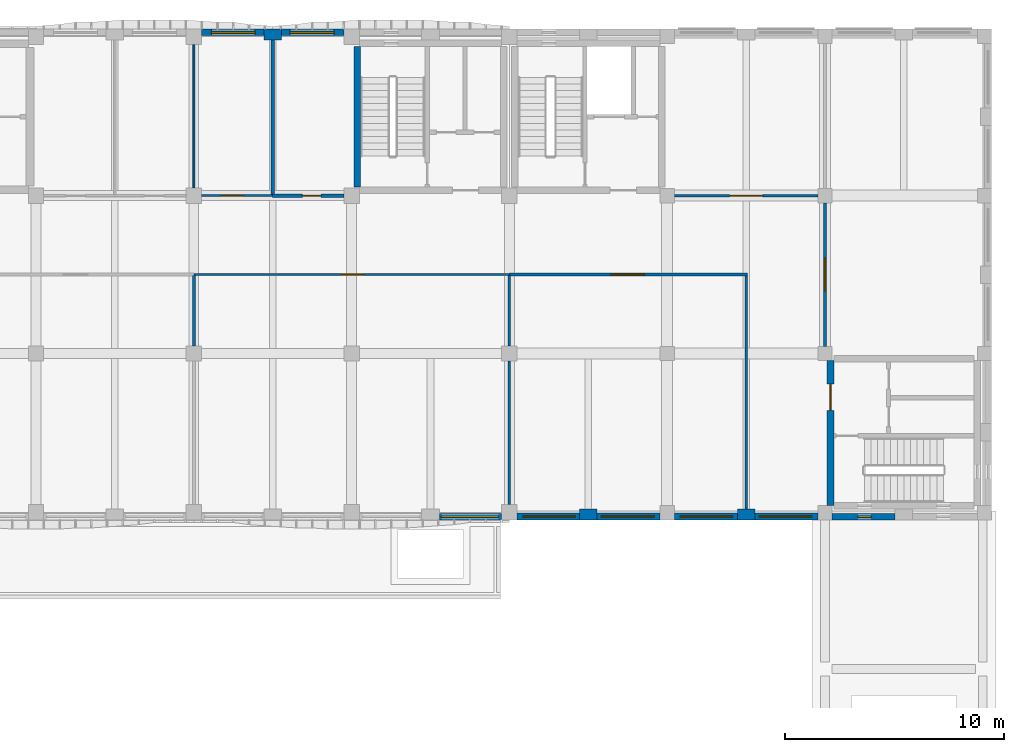
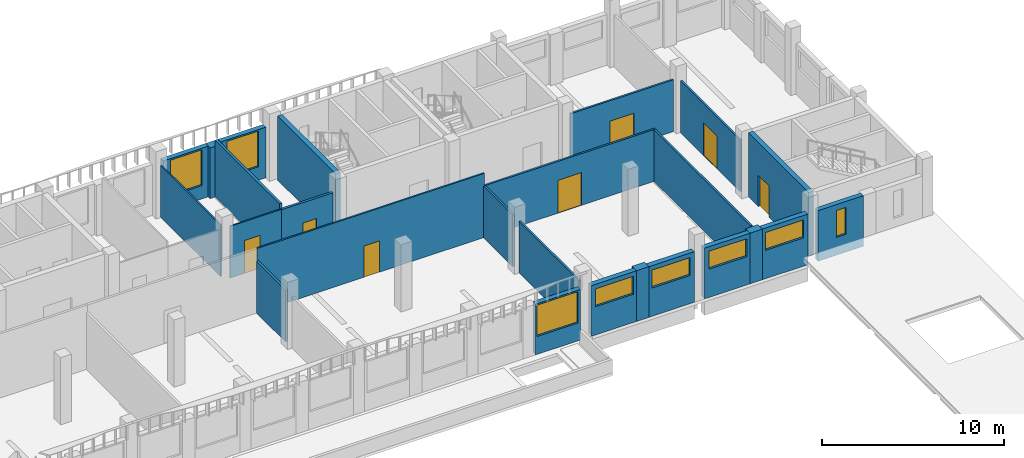
# One storey, part 30 of 59: 25 walls, 8 windows, 7 doors, 15 openings.
"""IFC4 building model written with IfcOpenShell, lengths in metres."""

from ifc_helpers import new_model, si_unit, direction, frame, frame_2d, origin, place, context, subcontext, project, spatial, rectangle, extrude, material, layer, layer_set, type_object, element, fill, save


model = new_model("IFC4")

# Units and contexts
model_context = context("Model", 3, precision=1e-05, world=origin(), true_north=direction((0.0, 1.0)))
body_context = subcontext(model_context, "Body", "Model", "MODEL_VIEW")
ifc_project = project(units=[si_unit("LENGTHUNIT", "METRE"), si_unit("AREAUNIT", "SQUARE_METRE"), si_unit("VOLUMEUNIT", "CUBIC_METRE"), si_unit("PLANEANGLEUNIT", "RADIAN"), si_unit("MASSUNIT", "GRAM", prefix="KILO")], contexts=[model_context])

# Site, building, storey
site_placement = place(None, origin())
site = spatial("IfcSite", under=ifc_project, at=site_placement, CompositionType="ELEMENT")
building_placement = place(site_placement, origin())
building = spatial("IfcBuilding", under=site, at=building_placement, Name="Ussher Court Research Institute", CompositionType="ELEMENT")
storey_placement = place(building_placement, frame((0.0, 0.0, 5.39990234375)))
storey = spatial("IfcBuildingStorey", under=building, at=storey_placement, Name="L01", CompositionType="ELEMENT", Elevation=5.39990234375)

# Wall, opening, door
ifc_material_1 = material(Name="Insulated sandwich wall panel")
ifc_layer_1 = layer(ifc_material_1, 0.1201171875)
ifc_layer_set_1 = layer_set([ifc_layer_1], Name="Insulated sandwich wall panel")
wall_type_1 = type_object("IfcWallType", Name="Clean-room panel 120 EI 60", PredefinedType="PARTITIONING", material=ifc_layer_set_1)
wall_1_placement = place(storey_placement, frame((93.06005859375, 79.60009765625, 0.0), z_axis=(0.0, 0.0, 1.0), x_axis=(-1.0, 0.0, 0.0)))
wall_1 = element("IfcWall", 1, at=wall_1_placement, inside=storey, type_object=wall_type_1, Name="Fire partition", PredefinedType="PARTITIONING", context=body_context, shape_type="SweptSolid", body=[
    extrude(rectangle(XDim=10.860107421875, YDim=0.1201171875, at=frame_2d((5.43017578125, 0.0))), origin(), (0.0, 0.0, 1.0), 3.47021484375),
])
opening_1_placement = place(wall_1_placement, frame((4.7099609375, 0.0, 0.0)))
opening_1 = element("IfcOpeningElement", 2, at=opening_1_placement, cuts=wall_1, Name="Opening D01066", PredefinedType="OPENING", context=body_context, shape_type="SweptSolid", body=[
    extrude(rectangle(XDim=1.5, YDim=2.199951171875, at=frame_2d((0.75, 1.10009765625))), frame((0.0, 0.070068359375, 0.0), z_axis=(0.0, -1.0, 0.0), x_axis=(1.0, 0.0, 0.0)), (0.0, 0.0, 1.0), 0.14013671875),
])
ifc_material_2 = material(Name="Painted steel faced fire door", Category="steel")
door_type_1 = type_object("IfcDoorType", Name="Clean-room door 1500x2200 FD60", OperationType="NOTDEFINED", PredefinedType="DOOR", material=ifc_material_2)
door_1_placement = place(opening_1_placement, origin())
door_1 = element("IfcDoor", 3, at=door_1_placement, inside=storey, type_object=door_type_1, Name="Door D01066", OperationType="SINGLE_SWING_RIGHT", OverallHeight=2.199951171875, OverallWidth=1.5, PredefinedType="DOOR", context=body_context, shape_type="SweptSolid", body=[
    extrude(rectangle(XDim=1.5, YDim=2.199951171875, at=frame_2d((0.75, 1.10009765625))), frame((0.0, 0.02490234375, 0.0), z_axis=(0.0, -1.0, 0.0), x_axis=(1.0, 0.0, 0.0)), (0.0, 0.0, 1.0), 0.050048828125),
])
fill(opening_1, door_1)

wall_2_placement = place(storey_placement, frame((89.72509765625, 83.199951171875, 0.0), z_axis=(0.0, 0.0, 1.0), x_axis=(1.0, 0.0, 0.0)))
wall_2 = element("IfcWall", 4, at=wall_2_placement, inside=storey, type_object=wall_type_1, Name="Fire partition", PredefinedType="PARTITIONING", context=body_context, shape_type="SweptSolid", body=[
    extrude(rectangle(XDim=6.5498046875, YDim=0.1201171875, at=frame_2d((3.27490234375, 0.0))), origin(), (0.0, 0.0, 1.0), 3.47021484375),
])
opening_2_placement = place(wall_2_placement, frame((2.52490234375, 0.0, 0.0)))
opening_2 = element("IfcOpeningElement", 5, at=opening_2_placement, cuts=wall_2, Name="Opening D01073", PredefinedType="OPENING", context=body_context, shape_type="SweptSolid", body=[
    extrude(rectangle(XDim=1.5, YDim=2.10009765625, at=frame_2d((0.75, 1.050048828125))), frame((0.0, 0.070068359375, 0.0), z_axis=(0.0, -1.0, 0.0), x_axis=(1.0, 0.0, 0.0)), (0.0, 0.0, 1.0), 0.14013671875),
])
ifc_material_3 = material(Name="Painted steel faced fire door", Category="steel")
door_type_2 = type_object("IfcDoorType", Name="Clean-room airlock door 1500x2100 FD60", OperationType="NOTDEFINED", PredefinedType="DOOR", material=ifc_material_3)
door_2_placement = place(opening_2_placement, origin())
door_2 = element("IfcDoor", 6, at=door_2_placement, inside=storey, type_object=door_type_2, Name="Door D01073", OperationType="SINGLE_SWING_LEFT", OverallHeight=2.10009765625, OverallWidth=1.5, PredefinedType="DOOR", context=body_context, shape_type="SweptSolid", body=[
    extrude(rectangle(XDim=1.5, YDim=2.10009765625, at=frame_2d((0.75, 1.050048828125))), frame((0.0, 0.02490234375, 0.0), z_axis=(0.0, -1.0, 0.0), x_axis=(1.0, 0.0, 0.0)), (0.0, 0.0, 1.0), 0.050048828125),
])
fill(opening_2, door_2)

# Walls
wall_3_placement = place(storey_placement, frame((82.199951171875, 69.10009765625, 0.0), z_axis=(0.0, 0.0, 1.0), x_axis=(0.0, 1.0, 0.0)))
element("IfcWall", 7, at=wall_3_placement, inside=storey, type_object=wall_type_1, Name="Fire partition", PredefinedType="PARTITIONING", context=body_context, shape_type="SweptSolid", body=[
    extrude(rectangle(XDim=6.5498046875, YDim=0.1201171875, at=frame_2d((3.27490234375, 0.0))), origin(), (0.0, 0.0, 1.0), 3.47021484375),
])
wall_4_placement = place(storey_placement, frame((82.199951171875, 76.35009765625, 0.0), z_axis=(0.0, 0.0, 1.0), x_axis=(0.0, 1.0, 0.0)))
element("IfcWall", 8, at=wall_4_placement, inside=storey, type_object=wall_type_1, Name="Fire partition", PredefinedType="PARTITIONING", context=body_context, shape_type="SweptSolid", body=[
    extrude(rectangle(XDim=3.199951171875, YDim=0.1201171875, at=frame_2d((1.60009765625, 0.0))), origin(), (0.0, 0.0, 1.0), 3.47021484375),
])
wall_5_placement = place(storey_placement, frame((93.0, 68.89990234375, 0.0), z_axis=(0.0, 0.0, 1.0), x_axis=(0.0, 1.0, 0.0)))
element("IfcWall", 9, at=wall_5_placement, inside=storey, type_object=wall_type_1, Name="Fire partition", PredefinedType="PARTITIONING", context=body_context, shape_type="SweptSolid", body=[
    extrude(rectangle(XDim=10.64013671875, YDim=0.1201171875, at=frame_2d((5.320068359375, 0.0))), origin(), (0.0, 0.0, 1.0), 3.47021484375),
])

# Wall, opening, door
wall_6_placement = place(storey_placement, frame((96.60009765625, 82.875, 0.0), z_axis=(0.0, 0.0, 1.0), x_axis=(0.0, -1.0, 0.0)))
wall_6 = element("IfcWall", 10, at=wall_6_placement, inside=storey, type_object=wall_type_1, Name="Fire partition", PredefinedType="PARTITIONING", context=body_context, shape_type="SweptSolid", body=[
    extrude(rectangle(XDim=6.550048828125, YDim=0.1201171875, at=frame_2d((3.27490234375, 0.0))), origin(), (0.0, 0.0, 1.0), 3.47021484375),
])
opening_3_placement = place(wall_6_placement, frame((2.52490234375, 0.0, 0.0)))
opening_3 = element("IfcOpeningElement", 11, at=opening_3_placement, cuts=wall_6, Name="Opening D01078", PredefinedType="OPENING", context=body_context, shape_type="SweptSolid", body=[
    extrude(rectangle(XDim=1.5, YDim=2.199951171875, at=frame_2d((0.75, 1.10009765625))), frame((0.0, 0.070068359375, 0.0), z_axis=(0.0, -1.0, 0.0), x_axis=(1.0, 0.0, 0.0)), (0.0, 0.0, 1.0), 0.14013671875),
])
door_3_placement = place(opening_3_placement, origin())
door_3 = element("IfcDoor", 12, at=door_3_placement, inside=storey, type_object=door_type_1, Name="Door D01078", OperationType="SINGLE_SWING_RIGHT", OverallHeight=2.199951171875, OverallWidth=1.5, PredefinedType="DOOR", context=body_context, shape_type="SweptSolid", body=[
    extrude(rectangle(XDim=1.5, YDim=2.199951171875, at=frame_2d((0.75, 1.10009765625))), frame((0.0, 0.02490234375, 0.0), z_axis=(0.0, -1.0, 0.0), x_axis=(1.0, 0.0, 0.0)), (0.0, 0.0, 1.0), 0.050048828125),
])
fill(opening_3, door_3)

# Wall, opening, window
ifc_material_4 = material(Name="Faience facing on insulated blockwork", Category="masonry")
ifc_layer_2 = layer(ifc_material_4, 0.320068359375)
ifc_layer_set_2 = layer_set([ifc_layer_2], Name="Faience facing on insulated blockwork")
wall_type_2 = type_object("IfcWallType", Name="Clean-room wall 320 faience faced insulated panel", PredefinedType="SOLIDWALL", material=ifc_layer_set_2)
wall_7_placement = place(storey_placement, frame((96.27490234375, 68.56005859375, 0.0), z_axis=(0.0, 0.0, 1.0), x_axis=(-1.0, 0.0, 0.0)))
wall_7 = element("IfcWall", 13, at=wall_7_placement, inside=storey, type_object=wall_type_2, Name="External wall EW3 L01", PredefinedType="SOLIDWALL", context=body_context, shape_type="SweptSolid", body=[
    extrude(rectangle(XDim=2.875, YDim=0.320068359375, at=frame_2d((1.4375, 0.0))), origin(), (0.0, 0.0, 1.0), 3.400146484375),
])
opening_4_placement = place(wall_7_placement, frame((0.27490234375, 0.0, 1.89990234375)))
opening_4 = element("IfcOpeningElement", 14, at=opening_4_placement, cuts=wall_7, Name="Opening W04", PredefinedType="OPENING", context=body_context, shape_type="SweptSolid", body=[
    extrude(rectangle(XDim=2.39990234375, YDim=1.199951171875, at=frame_2d((1.199951171875, 0.60009765625))), frame((0.0, 0.169921875, 0.0), z_axis=(0.0, -1.0, 0.0), x_axis=(1.0, 0.0, 0.0)), (0.0, 0.0, 1.0), 0.340087890625),
])
ifc_material_5 = material(Name="Bronze anodised aluminium with double glazing", Category="aluminium")
window_type_1 = type_object("IfcWindowType", Name="Clean-room clerestory window 2400x1200", PartitioningType="TRIPLE_PANEL_HORIZONTAL", PredefinedType="WINDOW", material=ifc_material_5)
window_1_placement = place(opening_4_placement, origin())
window_1 = element("IfcWindow", 15, at=window_1_placement, inside=storey, type_object=window_type_1, Name="Window W04 L01", OverallHeight=1.199951171875, OverallWidth=2.39990234375, PartitioningType="SINGLE_PANEL", PredefinedType="WINDOW", context=body_context, shape_type="SweptSolid", body=[
    extrude(rectangle(XDim=2.39990234375, YDim=1.199951171875, at=frame_2d((1.199951171875, 0.60009765625))), frame((0.0, 0.030029296875, 0.0), z_axis=(0.0, -1.0, 0.0), x_axis=(1.0, 0.0, 0.0)), (0.0, 0.0, 1.0), 0.06005859375),
])
fill(opening_4, window_1)

wall_8_placement = place(storey_placement, frame((92.60009765625, 68.56005859375, 0.0), z_axis=(0.0, 0.0, 1.0), x_axis=(-1.0, 0.0, 0.0)))
wall_8 = element("IfcWall", 16, at=wall_8_placement, inside=storey, type_object=wall_type_2, Name="External wall EW3 L01", PredefinedType="SOLIDWALL", context=body_context, shape_type="SweptSolid", body=[
    extrude(rectangle(XDim=2.875, YDim=0.320068359375, at=frame_2d((1.4375, 0.0))), origin(), (0.0, 0.0, 1.0), 3.400146484375),
])
opening_5_placement = place(wall_8_placement, frame((0.199951171875, 0.0, 1.89990234375)))
opening_5 = element("IfcOpeningElement", 17, at=opening_5_placement, cuts=wall_8, Name="Opening W04", PredefinedType="OPENING", context=body_context, shape_type="SweptSolid", body=[
    extrude(rectangle(XDim=2.39990234375, YDim=1.199951171875, at=frame_2d((1.199951171875, 0.60009765625))), frame((0.0, 0.169921875, 0.0), z_axis=(0.0, -1.0, 0.0), x_axis=(1.0, 0.0, 0.0)), (0.0, 0.0, 1.0), 0.340087890625),
])
window_2_placement = place(opening_5_placement, origin())
window_2 = element("IfcWindow", 18, at=window_2_placement, inside=storey, type_object=window_type_1, Name="Window W04 L01", OverallHeight=1.199951171875, OverallWidth=2.39990234375, PartitioningType="SINGLE_PANEL", PredefinedType="WINDOW", context=body_context, shape_type="SweptSolid", body=[
    extrude(rectangle(XDim=2.39990234375, YDim=1.199951171875, at=frame_2d((1.199951171875, 0.60009765625))), frame((0.0, 0.030029296875, 0.0), z_axis=(0.0, -1.0, 0.0), x_axis=(1.0, 0.0, 0.0)), (0.0, 0.0, 1.0), 0.06005859375),
])
fill(opening_5, window_2)

wall_9_placement = place(storey_placement, frame((89.074951171875, 68.56005859375, 0.0), z_axis=(0.0, 0.0, 1.0), x_axis=(-1.0, 0.0, 0.0)))
wall_9 = element("IfcWall", 19, at=wall_9_placement, inside=storey, type_object=wall_type_2, Name="External wall EW3 L01", PredefinedType="SOLIDWALL", context=body_context, shape_type="SweptSolid", body=[
    extrude(rectangle(XDim=2.875, YDim=0.320068359375, at=frame_2d((1.4375, 0.0))), origin(), (0.0, 0.0, 1.0), 3.400146484375),
])
opening_6_placement = place(wall_9_placement, frame((0.27490234375, 0.0, 1.89990234375)))
opening_6 = element("IfcOpeningElement", 20, at=opening_6_placement, cuts=wall_9, Name="Opening W04", PredefinedType="OPENING", context=body_context, shape_type="SweptSolid", body=[
    extrude(rectangle(XDim=2.39990234375, YDim=1.199951171875, at=frame_2d((1.199951171875, 0.60009765625))), frame((0.0, 0.169921875, 0.0), z_axis=(0.0, -1.0, 0.0), x_axis=(1.0, 0.0, 0.0)), (0.0, 0.0, 1.0), 0.340087890625),
])
window_3_placement = place(opening_6_placement, origin())
window_3 = element("IfcWindow", 21, at=window_3_placement, inside=storey, type_object=window_type_1, Name="Window W04 L01", OverallHeight=1.199951171875, OverallWidth=2.39990234375, PartitioningType="SINGLE_PANEL", PredefinedType="WINDOW", context=body_context, shape_type="SweptSolid", body=[
    extrude(rectangle(XDim=2.39990234375, YDim=1.199951171875, at=frame_2d((1.199951171875, 0.60009765625))), frame((0.0, 0.030029296875, 0.0), z_axis=(0.0, -1.0, 0.0), x_axis=(1.0, 0.0, 0.0)), (0.0, 0.0, 1.0), 0.06005859375),
])
fill(opening_6, window_3)

wall_10_placement = place(storey_placement, frame((85.39990234375, 68.56005859375, 0.0), z_axis=(0.0, 0.0, 1.0), x_axis=(-1.0, 0.0, 0.0)))
wall_10 = element("IfcWall", 22, at=wall_10_placement, inside=storey, type_object=wall_type_2, Name="External wall EW3 L01", PredefinedType="SOLIDWALL", context=body_context, shape_type="SweptSolid", body=[
    extrude(rectangle(XDim=2.849853515625, YDim=0.320068359375, at=frame_2d((1.4248046875, 0.0))), origin(), (0.0, 0.0, 1.0), 3.400146484375),
])
opening_7_placement = place(wall_10_placement, frame((0.199951171875, 0.0, 1.89990234375)))
opening_7 = element("IfcOpeningElement", 23, at=opening_7_placement, cuts=wall_10, Name="Opening W04", PredefinedType="OPENING", context=body_context, shape_type="SweptSolid", body=[
    extrude(rectangle(XDim=2.39990234375, YDim=1.199951171875, at=frame_2d((1.199951171875, 0.60009765625))), frame((0.0, 0.169921875, 0.0), z_axis=(0.0, -1.0, 0.0), x_axis=(1.0, 0.0, 0.0)), (0.0, 0.0, 1.0), 0.340087890625),
])
window_4_placement = place(opening_7_placement, origin())
window_4 = element("IfcWindow", 24, at=window_4_placement, inside=storey, type_object=window_type_1, Name="Window W04 L01", OverallHeight=1.199951171875, OverallWidth=2.39990234375, PartitioningType="SINGLE_PANEL", PredefinedType="WINDOW", context=body_context, shape_type="SweptSolid", body=[
    extrude(rectangle(XDim=2.39990234375, YDim=1.199951171875, at=frame_2d((1.199951171875, 0.60009765625))), frame((0.0, 0.030029296875, 0.0), z_axis=(0.0, -1.0, 0.0), x_axis=(1.0, 0.0, 0.0)), (0.0, 0.0, 1.0), 0.06005859375),
])
fill(opening_7, window_4)

ifc_material_6 = material(Name="Blockwork with cream render", Category="masonry")
ifc_layer_3 = layer(ifc_material_6, 0.300048828125)
ifc_layer_set_3 = layer_set([ifc_layer_3], Name="Blockwork with cream render")
wall_type_3 = type_object("IfcWallType", Name="External wall 300 cream render", PredefinedType="SOLIDWALL", material=ifc_layer_set_3)
wall_11_placement = place(storey_placement, frame((68.14990234375, 90.64990234375, 0.0), z_axis=(0.0, 0.0, 1.0), x_axis=(1.0, 0.0, 0.0)))
wall_11 = element("IfcWall", 25, at=wall_11_placement, inside=storey, type_object=wall_type_3, Name="External wall EW1 L01", PredefinedType="SOLIDWALL", context=body_context, shape_type="SweptSolid", body=[
    extrude(rectangle(XDim=2.85009765625, YDim=0.300048828125, at=frame_2d((1.425048828125, 0.0))), origin(), (0.0, 0.0, 1.0), 3.400146484375),
])
opening_8_placement = place(wall_11_placement, frame((0.449951171875, 0.0, 0.89990234375)))
opening_8 = element("IfcOpeningElement", 26, at=opening_8_placement, cuts=wall_11, Name="Opening W14", PredefinedType="OPENING", context=body_context, shape_type="SweptSolid", body=[
    extrude(rectangle(XDim=2.0, YDim=2.39990234375, at=frame_2d((1.0, 1.199951171875))), frame((0.0, 0.16015625, 0.0), z_axis=(0.0, -1.0, 0.0), x_axis=(1.0, 0.0, 0.0)), (0.0, 0.0, 1.0), 0.320068359375),
])
ifc_material_7 = material(Name="Bronze anodised aluminium with double glazing", Category="aluminium")
window_type_2 = type_object("IfcWindowType", Name="Seminar and write-up office window 2000x2400", PartitioningType="DOUBLE_PANEL_VERTICAL", PredefinedType="WINDOW", material=ifc_material_7)
window_5_placement = place(opening_8_placement, origin())
window_5 = element("IfcWindow", 27, at=window_5_placement, inside=storey, type_object=window_type_2, Name="Window W14 L01", OverallHeight=2.39990234375, OverallWidth=2.0, PartitioningType="SINGLE_PANEL", PredefinedType="WINDOW", context=body_context, shape_type="SweptSolid", body=[
    extrude(rectangle(XDim=2.0, YDim=2.39990234375, at=frame_2d((1.0, 1.199951171875))), frame((0.0, 0.030029296875, 0.0), z_axis=(0.0, -1.0, 0.0), x_axis=(1.0, 0.0, 0.0)), (0.0, 0.0, 1.0), 0.06005859375),
])
fill(opening_8, window_5)

wall_12_placement = place(storey_placement, frame((71.800048828125, 90.64990234375, 0.0), z_axis=(0.0, 0.0, 1.0), x_axis=(1.0, 0.0, 0.0)))
wall_12 = element("IfcWall", 28, at=wall_12_placement, inside=storey, type_object=wall_type_3, Name="External wall EW1 L01", PredefinedType="SOLIDWALL", context=body_context, shape_type="SweptSolid", body=[
    extrude(rectangle(XDim=2.849853515625, YDim=0.300048828125, at=frame_2d((1.4248046875, 0.0))), origin(), (0.0, 0.0, 1.0), 3.400146484375),
])
opening_9_placement = place(wall_12_placement, frame((0.39990234375, 0.0, 0.89990234375)))
opening_9 = element("IfcOpeningElement", 29, at=opening_9_placement, cuts=wall_12, Name="Opening W14", PredefinedType="OPENING", context=body_context, shape_type="SweptSolid", body=[
    extrude(rectangle(XDim=2.0, YDim=2.39990234375, at=frame_2d((1.0, 1.199951171875))), frame((0.0, 0.16015625, 0.0), z_axis=(0.0, -1.0, 0.0), x_axis=(1.0, 0.0, 0.0)), (0.0, 0.0, 1.0), 0.320068359375),
])
window_6_placement = place(opening_9_placement, origin())
window_6 = element("IfcWindow", 30, at=window_6_placement, inside=storey, type_object=window_type_2, Name="Window W14 L01", OverallHeight=2.39990234375, OverallWidth=2.0, PartitioningType="SINGLE_PANEL", PredefinedType="WINDOW", context=body_context, shape_type="SweptSolid", body=[
    extrude(rectangle(XDim=2.0, YDim=2.39990234375, at=frame_2d((1.0, 1.199951171875))), frame((0.0, 0.030029296875, 0.0), z_axis=(0.0, -1.0, 0.0), x_axis=(1.0, 0.0, 0.0)), (0.0, 0.0, 1.0), 0.06005859375),
])
fill(opening_9, window_6)

wall_13_placement = place(storey_placement, frame((81.85009765625, 68.550048828125, 0.0), z_axis=(0.0, 0.0, 1.0), x_axis=(-1.0, 0.0, 0.0)))
wall_13 = element("IfcWall", 31, at=wall_13_placement, inside=storey, type_object=wall_type_3, Name="External wall EW1 L01", PredefinedType="SOLIDWALL", context=body_context, shape_type="SweptSolid", body=[
    extrude(rectangle(XDim=2.85009765625, YDim=0.300048828125, at=frame_2d((1.425048828125, 0.0))), origin(), (0.0, 0.0, 1.0), 3.400146484375),
])
opening_10_placement = place(wall_13_placement, frame((0.14990234375, 0.0, 1.199951171875)))
opening_10 = element("IfcOpeningElement", 32, at=opening_10_placement, cuts=wall_13, Name="Opening W08", PredefinedType="OPENING", context=body_context, shape_type="SweptSolid", body=[
    extrude(rectangle(XDim=2.60009765625, YDim=2.10009765625, at=frame_2d((1.300048828125, 1.050048828125))), frame((0.0, 0.16015625, 0.0), z_axis=(0.0, -1.0, 0.0), x_axis=(1.0, 0.0, 0.0)), (0.0, 0.0, 1.0), 0.320068359375),
])
ifc_material_8 = material(Name="Bronze anodised aluminium with double glazing", Category="aluminium")
window_type_3 = type_object("IfcWindowType", Name="Dry laboratory bay window 2600x2100", PartitioningType="DOUBLE_PANEL_VERTICAL", PredefinedType="WINDOW", material=ifc_material_8)
window_7_placement = place(opening_10_placement, origin())
window_7 = element("IfcWindow", 33, at=window_7_placement, inside=storey, type_object=window_type_3, Name="Window W08 L01", OverallHeight=2.10009765625, OverallWidth=2.60009765625, PartitioningType="SINGLE_PANEL", PredefinedType="WINDOW", context=body_context, shape_type="SweptSolid", body=[
    extrude(rectangle(XDim=2.60009765625, YDim=2.10009765625, at=frame_2d((1.300048828125, 1.050048828125))), frame((0.0, 0.030029296875, 0.0), z_axis=(0.0, -1.0, 0.0), x_axis=(1.0, 0.0, 0.0)), (0.0, 0.0, 1.0), 0.06005859375),
])
fill(opening_10, window_7)

ifc_material_9 = material(Name="Limestone facing on blockwork", Category="masonry")
ifc_layer_4 = layer(ifc_material_9, 0.300048828125)
ifc_layer_set_4 = layer_set([ifc_layer_4], Name="Limestone facing on blockwork")
wall_type_4 = type_object("IfcWallType", Name="External wall 300 stair enclosure", PredefinedType="SOLIDWALL", material=ifc_layer_set_4)
wall_14_placement = place(storey_placement, frame((99.800048828125, 68.550048828125, 0.0), z_axis=(0.0, 0.0, 1.0), x_axis=(-1.0, 0.0, 0.0)))
wall_14 = element("IfcWall", 34, at=wall_14_placement, inside=storey, type_object=wall_type_4, Name="External wall EW5 L01", PredefinedType="SOLIDWALL", context=body_context, shape_type="SweptSolid", body=[
    extrude(rectangle(XDim=2.875, YDim=0.300048828125, at=frame_2d((1.4375, 0.0))), origin(), (0.0, 0.0, 1.0), 3.400146484375),
])
opening_11_placement = place(wall_14_placement, frame((1.10009765625, 0.0, 1.199951171875)))
opening_11 = element("IfcOpeningElement", 35, at=opening_11_placement, cuts=wall_14, Name="Opening W25", PredefinedType="OPENING", context=body_context, shape_type="SweptSolid", body=[
    extrude(rectangle(XDim=0.60009765625, YDim=1.800048828125, at=frame_2d((0.300048828125, 0.89990234375))), frame((0.0, 0.16015625, 0.0), z_axis=(0.0, -1.0, 0.0), x_axis=(1.0, 0.0, 0.0)), (0.0, 0.0, 1.0), 0.320068359375),
])
ifc_material_10 = material(Name="Bronze anodised aluminium with double glazing", Category="aluminium")
window_type_4 = type_object("IfcWindowType", Name="Stair light slot window 600x1800 fire-resisting glazing", PartitioningType="SINGLE_PANEL", PredefinedType="WINDOW", material=ifc_material_10)
window_8_placement = place(opening_11_placement, origin())
window_8 = element("IfcWindow", 36, at=window_8_placement, inside=storey, type_object=window_type_4, Name="Window W25 L01", OverallHeight=1.800048828125, OverallWidth=0.60009765625, PartitioningType="SINGLE_PANEL", PredefinedType="WINDOW", context=body_context, shape_type="SweptSolid", body=[
    extrude(rectangle(XDim=0.60009765625, YDim=1.800048828125, at=frame_2d((0.300048828125, 0.89990234375))), frame((0.0, 0.030029296875, 0.0), z_axis=(0.0, -1.0, 0.0), x_axis=(1.0, 0.0, 0.0)), (0.0, 0.0, 1.0), 0.06005859375),
])
fill(opening_11, window_8)

# Wall, opening, door
ifc_material_11 = material(Name="Plastered blockwork", Category="masonry")
ifc_layer_5 = layer(ifc_material_11, 0.14990234375)
ifc_layer_set_5 = layer_set([ifc_layer_5], Name="Plastered blockwork")
wall_type_5 = type_object("IfcWallType", Name="Fire partition blockwork 150 EI 60", PredefinedType="PARTITIONING", material=ifc_layer_set_5)
wall_15_placement = place(storey_placement, frame((71.39990234375, 83.199951171875, 0.0), z_axis=(0.0, 0.0, 1.0), x_axis=(1.0, 0.0, 0.0)))
wall_15 = element("IfcWall", 37, at=wall_15_placement, inside=storey, type_object=wall_type_5, Name="Fire partition", PredefinedType="PARTITIONING", context=body_context, shape_type="SweptSolid", body=[
    extrude(rectangle(XDim=3.25, YDim=0.14990234375, at=frame_2d((1.625, 0.0))), origin(), (0.0, 0.0, 1.0), 3.47021484375),
])
opening_12_placement = place(wall_15_placement, frame((1.35009765625, 0.0, 0.0)))
opening_12 = element("IfcOpeningElement", 38, at=opening_12_placement, cuts=wall_15, Name="Opening D01048", PredefinedType="OPENING", context=body_context, shape_type="SweptSolid", body=[
    extrude(rectangle(XDim=0.85009765625, YDim=2.10009765625, at=frame_2d((0.425048828125, 1.050048828125))), frame((0.0, 0.0849609375, 0.0), z_axis=(0.0, -1.0, 0.0), x_axis=(1.0, 0.0, 0.0)), (0.0, 0.0, 1.0), 0.169921875),
])
ifc_material_12 = material(Name="Painted steel faced fire door", Category="steel")
door_type_3 = type_object("IfcDoorType", Name="Service store door 850x2100 FD60", OperationType="NOTDEFINED", PredefinedType="DOOR", material=ifc_material_12)
door_4_placement = place(opening_12_placement, origin())
door_4 = element("IfcDoor", 39, at=door_4_placement, inside=storey, type_object=door_type_3, Name="Door D01048", OperationType="SINGLE_SWING_RIGHT", OverallHeight=2.10009765625, OverallWidth=0.85009765625, PredefinedType="DOOR", context=body_context, shape_type="SweptSolid", body=[
    extrude(rectangle(XDim=0.85009765625, YDim=2.10009765625, at=frame_2d((0.425048828125, 1.050048828125))), frame((0.0, 0.02490234375, 0.0), z_axis=(0.0, -1.0, 0.0), x_axis=(1.0, 0.0, 0.0)), (0.0, 0.0, 1.0), 0.050048828125),
])
fill(opening_12, door_4)

# Walls
wall_16_placement = place(storey_placement, frame((71.39990234375, 83.2451171875, 0.0), z_axis=(0.0, 0.0, 1.0), x_axis=(0.0, 1.0, 0.0)))
element("IfcWall", 40, at=wall_16_placement, inside=storey, type_object=wall_type_5, Name="Fire partition", PredefinedType="PARTITIONING", context=body_context, shape_type="SweptSolid", body=[
    extrude(rectangle(XDim=7.054931640625, YDim=0.14990234375, at=frame_2d((3.52734375, 0.0))), origin(), (0.0, 0.0, 1.0), 3.820068359375),
])
ifc_material_13 = material(Name="Plastered blockwork", Category="masonry")
ifc_layer_6 = layer(ifc_material_13, 0.139892578125)
ifc_layer_set_6 = layer_set([ifc_layer_6], Name="Plastered blockwork")
wall_type_6 = type_object("IfcWallType", Name="Laboratory blockwork partition 140", PredefinedType="PARTITIONING", material=ifc_layer_set_6)
wall_17_placement = place(storey_placement, frame((67.800048828125, 76.35009765625, 0.0), z_axis=(0.0, 0.0, 1.0), x_axis=(0.0, 1.0, 0.0)))
element("IfcWall", 41, at=wall_17_placement, inside=storey, type_object=wall_type_6, Name="Partition", PredefinedType="PARTITIONING", context=body_context, shape_type="SweptSolid", body=[
    extrude(rectangle(XDim=3.199951171875, YDim=0.139892578125, at=frame_2d((1.60009765625, 0.0))), origin(), (0.0, 0.0, 1.0), 3.47021484375),
])

# Wall, opening, door
ifc_material_14 = material(Name="Plastered blockwork", Category="masonry")
ifc_layer_7 = layer(ifc_material_14, 0.10009765625)
ifc_layer_set_7 = layer_set([ifc_layer_7], Name="Plastered blockwork")
wall_type_7 = type_object("IfcWallType", Name="Partition plastered blockwork 100", PredefinedType="PARTITIONING", material=ifc_layer_set_7)
wall_18_placement = place(storey_placement, frame((82.199951171875, 79.60009765625, 0.0), z_axis=(0.0, 0.0, 1.0), x_axis=(-1.0, 0.0, 0.0)))
wall_18 = element("IfcWall", 42, at=wall_18_placement, inside=storey, type_object=wall_type_7, Name="Partition", PredefinedType="PARTITIONING", context=body_context, shape_type="SweptSolid", body=[
    extrude(rectangle(XDim=14.39990234375, YDim=0.10009765625, at=frame_2d((7.199951171875, 0.0))), origin(), (0.0, 0.0, 1.0), 4.300048828125),
])
opening_13_placement = place(wall_18_placement, frame((6.64990234375, 0.0, 0.0)))
opening_13 = element("IfcOpeningElement", 43, at=opening_13_placement, cuts=wall_18, Name="Opening D01050", PredefinedType="OPENING", context=body_context, shape_type="SweptSolid", body=[
    extrude(rectangle(XDim=1.0, YDim=2.10009765625, at=frame_2d((0.5, 1.050048828125))), frame((0.0, 0.06005859375, 0.0), z_axis=(0.0, -1.0, 0.0), x_axis=(1.0, 0.0, 0.0)), (0.0, 0.0, 1.0), 0.1201171875),
])
ifc_material_15 = material(Name="Veneered timber door", Category="wood")
door_type_4 = type_object("IfcDoorType", Name="Office door 1000x2100", OperationType="NOTDEFINED", PredefinedType="DOOR", material=ifc_material_15)
door_5_placement = place(opening_13_placement, origin())
door_5 = element("IfcDoor", 44, at=door_5_placement, inside=storey, type_object=door_type_4, Name="Door D01050", OperationType="SINGLE_SWING_LEFT", OverallHeight=2.10009765625, OverallWidth=1.0, PredefinedType="DOOR", context=body_context, shape_type="SweptSolid", body=[
    extrude(rectangle(XDim=1.0, YDim=2.10009765625, at=frame_2d((0.5, 1.050048828125))), frame((0.0, 0.02490234375, 0.0), z_axis=(0.0, -1.0, 0.0), x_axis=(1.0, 0.0, 0.0)), (0.0, 0.0, 1.0), 0.050048828125),
])
fill(opening_13, door_5)

# Walls
ifc_material_16 = material(Name="Blockwork with cream render", Category="masonry")
ifc_layer_8 = layer(ifc_material_16, 0.5)
ifc_layer_set_8 = layer_set([ifc_layer_8], Name="Blockwork with cream render")
wall_type_8 = type_object("IfcWallType", Name="Pier 800x500 cream render", PredefinedType="SOLIDWALL", material=ifc_layer_set_8)
wall_19_placement = place(storey_placement, frame((71.0, 90.550048828125, 0.0), z_axis=(0.0, 0.0, 1.0), x_axis=(1.0, 0.0, 0.0)))
element("IfcWall", 45, at=wall_19_placement, inside=storey, type_object=wall_type_8, Name="Pier PR1 L01", PredefinedType="SOLIDWALL", context=body_context, shape_type="SweptSolid", body=[
    extrude(rectangle(XDim=0.800048828125, YDim=0.5, at=frame_2d((0.39990234375, 0.0))), origin(), (0.0, 0.0, 1.0), 3.400146484375),
])
ifc_material_17 = material(Name="Rusticated limestone facing on blockwork", Category="masonry")
ifc_layer_9 = layer(ifc_material_17, 0.5)
ifc_layer_set_9 = layer_set([ifc_layer_9], Name="Rusticated limestone facing on blockwork")
wall_type_9 = type_object("IfcWallType", Name="Pier 800x500 rusticated limestone", PredefinedType="SOLIDWALL", material=ifc_layer_set_9)
wall_20_placement = place(storey_placement, frame((93.39990234375, 68.64990234375, 0.0), z_axis=(0.0, 0.0, 1.0), x_axis=(-1.0, 0.0, 0.0)))
element("IfcWall", 46, at=wall_20_placement, inside=storey, type_object=wall_type_9, Name="Pier PR2 L01", PredefinedType="SOLIDWALL", context=body_context, shape_type="SweptSolid", body=[
    extrude(rectangle(XDim=0.7998046875, YDim=0.5, at=frame_2d((0.39990234375, 0.0))), origin(), (0.0, 0.0, 1.0), 3.400146484375),
])
wall_21_placement = place(storey_placement, frame((86.199951171875, 68.64990234375, 0.0), z_axis=(0.0, 0.0, 1.0), x_axis=(-1.0, 0.0, 0.0)))
element("IfcWall", 47, at=wall_21_placement, inside=storey, type_object=wall_type_9, Name="Pier PR2 L01", PredefinedType="SOLIDWALL", context=body_context, shape_type="SweptSolid", body=[
    extrude(rectangle(XDim=0.800048828125, YDim=0.5, at=frame_2d((0.39990234375, 0.0))), origin(), (0.0, 0.0, 1.0), 3.400146484375),
])

# Wall, opening, door
ifc_material_18 = material(Name="Concrete C35/45", Category="concrete")
ifc_layer_10 = layer(ifc_material_18, 0.300048828125)
ifc_layer_set_10 = layer_set([ifc_layer_10], Name="Concrete C35/45")
wall_type_10 = type_object("IfcWallType", Name="RC core wall 300", PredefinedType="SHEAR", material=ifc_layer_set_10)
wall_22_placement = place(storey_placement, frame((96.85009765625, 75.675048828125, 0.0), z_axis=(0.0, 0.0, 1.0), x_axis=(0.0, -1.0, 0.0)))
wall_22 = element("IfcWall", 48, at=wall_22_placement, inside=storey, type_object=wall_type_10, Name="Core wall C2", PredefinedType="SHEAR", context=body_context, shape_type="SweptSolid", body=[
    extrude(rectangle(XDim=6.625, YDim=0.300048828125, at=frame_2d((3.3125, 0.0))), origin(), (0.0, 0.0, 1.0), 4.300048828125),
])
opening_14_placement = place(wall_22_placement, frame((1.074951171875, 0.0, 0.0)))
opening_14 = element("IfcOpeningElement", 49, at=opening_14_placement, cuts=wall_22, Name="Opening D01079", PredefinedType="OPENING", context=body_context, shape_type="SweptSolid", body=[
    extrude(rectangle(XDim=1.199951171875, YDim=2.10009765625, at=frame_2d((0.60009765625, 1.050048828125))), frame((0.0, 0.16015625, 0.0), z_axis=(0.0, -1.0, 0.0), x_axis=(1.0, 0.0, 0.0)), (0.0, 0.0, 1.0), 0.320068359375),
])
ifc_material_19 = material(Name="Painted steel faced fire door", Category="steel")
door_type_5 = type_object("IfcDoorType", Name="Fire door 1200x2100 FD60", OperationType="NOTDEFINED", PredefinedType="DOOR", material=ifc_material_19)
door_6_placement = place(opening_14_placement, origin())
door_6 = element("IfcDoor", 50, at=door_6_placement, inside=storey, type_object=door_type_5, Name="Door D01079", OperationType="SINGLE_SWING_LEFT", OverallHeight=2.10009765625, OverallWidth=1.199951171875, PredefinedType="DOOR", context=body_context, shape_type="SweptSolid", body=[
    extrude(rectangle(XDim=1.199951171875, YDim=2.10009765625, at=frame_2d((0.60009765625, 1.050048828125))), frame((0.0, 0.02490234375, 0.0), z_axis=(0.0, -1.0, 0.0), x_axis=(1.0, 0.0, 0.0)), (0.0, 0.0, 1.0), 0.050048828125),
])
fill(opening_14, door_6)

# Wall
wall_23_placement = place(storey_placement, frame((75.25, 83.60009765625, 0.0), z_axis=(0.0, 0.0, 1.0), x_axis=(0.0, 1.0, 0.0)))
element("IfcWall", 51, at=wall_23_placement, inside=storey, type_object=wall_type_10, Name="Core wall D3", PredefinedType="SHEAR", context=body_context, shape_type="SweptSolid", body=[
    extrude(rectangle(XDim=6.39990234375, YDim=0.300048828125, at=frame_2d((3.199951171875, 0.0))), origin(), (0.0, 0.0, 1.0), 4.300048828125),
])

# Wall, opening, door
ifc_material_20 = material(Name="Moisture-resistant board on steel studs", Category="steel")
ifc_layer_11 = layer(ifc_material_20, 0.090087890625)
ifc_layer_set_11 = layer_set([ifc_layer_11], Name="Moisture-resistant board on steel studs")
wall_type_11 = type_object("IfcWallType", Name="WC lining partition 90", PredefinedType="PARTITIONING", material=ifc_layer_set_11)
wall_24_placement = place(storey_placement, frame((68.14990234375, 83.199951171875, 0.0), z_axis=(0.0, 0.0, 1.0), x_axis=(1.0, 0.0, 0.0)))
wall_24 = element("IfcWall", 52, at=wall_24_placement, inside=storey, type_object=wall_type_11, Name="Partition", PredefinedType="PARTITIONING", context=body_context, shape_type="SweptSolid", body=[
    extrude(rectangle(XDim=3.25, YDim=0.090087890625, at=frame_2d((1.625, 0.0))), origin(), (0.0, 0.0, 1.0), 3.47021484375),
])
opening_15_placement = place(wall_24_placement, frame((0.89990234375, 0.0, 0.0)))
opening_15 = element("IfcOpeningElement", 53, at=opening_15_placement, cuts=wall_24, Name="Opening D01046", PredefinedType="OPENING", context=body_context, shape_type="SweptSolid", body=[
    extrude(rectangle(XDim=1.0, YDim=2.199951171875, at=frame_2d((0.5, 1.10009765625))), frame((0.0, 0.05517578125, 0.0), z_axis=(0.0, -1.0, 0.0), x_axis=(1.0, 0.0, 0.0)), (0.0, 0.0, 1.0), 0.110107421875),
])
ifc_material_21 = material(Name="Veneered timber door", Category="wood")
door_type_6 = type_object("IfcDoorType", Name="Accessible WC door 1000x2200", OperationType="NOTDEFINED", PredefinedType="DOOR", material=ifc_material_21)
door_7_placement = place(opening_15_placement, origin())
door_7 = element("IfcDoor", 54, at=door_7_placement, inside=storey, type_object=door_type_6, Name="Door D01046", OperationType="SINGLE_SWING_LEFT", OverallHeight=2.199951171875, OverallWidth=1.0, PredefinedType="DOOR", context=body_context, shape_type="SweptSolid", body=[
    extrude(rectangle(XDim=1.0, YDim=2.199951171875, at=frame_2d((0.5, 1.10009765625))), frame((0.0, 0.02490234375, 0.0), z_axis=(0.0, -1.0, 0.0), x_axis=(1.0, 0.0, 0.0)), (0.0, 0.0, 1.0), 0.050048828125),
])
fill(opening_15, door_7)

# Wall
wall_25_placement = place(storey_placement, frame((67.800048828125, 83.550048828125, 0.0), z_axis=(0.0, 0.0, 1.0), x_axis=(0.0, 1.0, 0.0)))
element("IfcWall", 55, at=wall_25_placement, inside=storey, type_object=wall_type_11, Name="Partition", PredefinedType="PARTITIONING", context=body_context, shape_type="SweptSolid", body=[
    extrude(rectangle(XDim=6.550048828125, YDim=0.090087890625, at=frame_2d((3.27490234375, 0.0))), origin(), (0.0, 0.0, 1.0), 3.47021484375),
])

save(model, "model.ifc")
